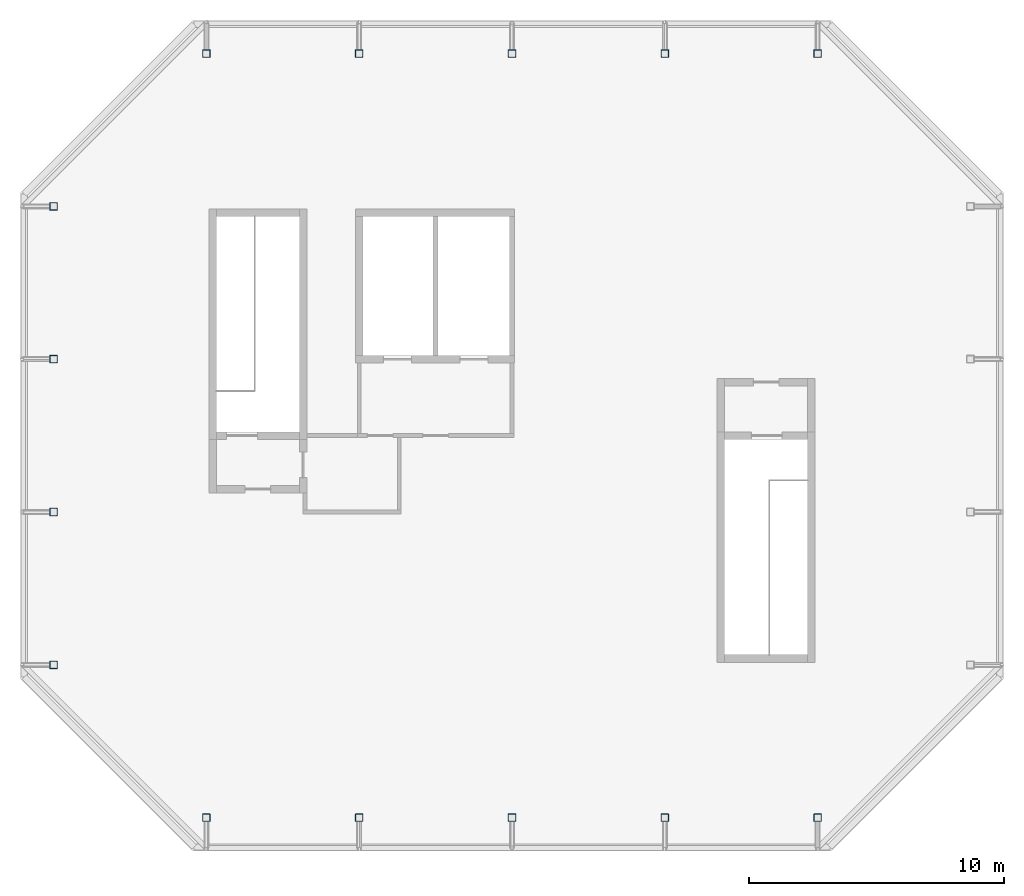
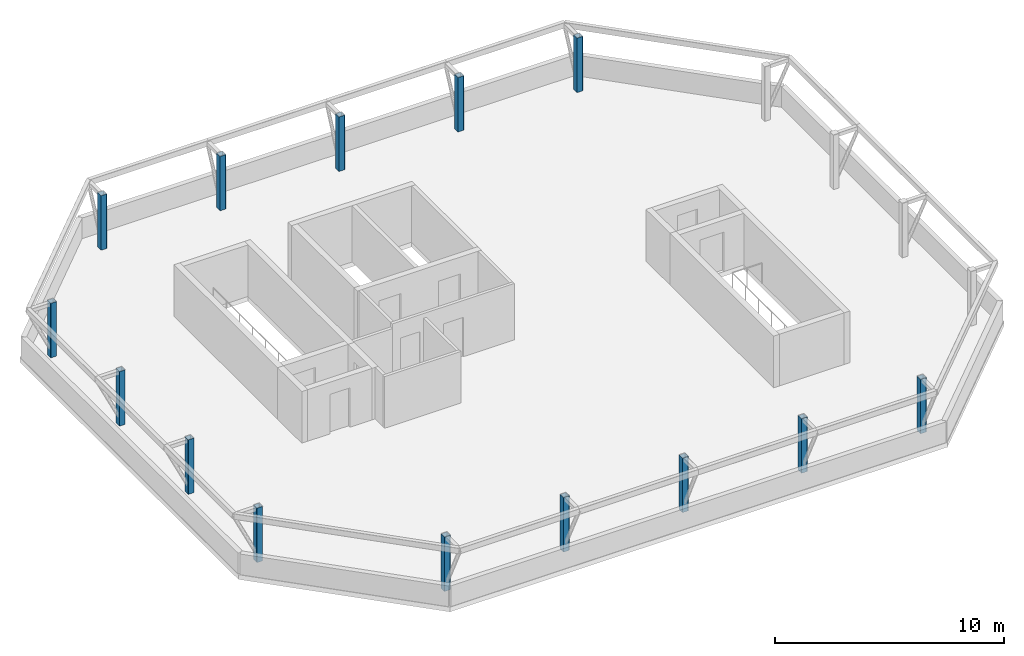
# One storey, part 1 of 6: 14 columns.
"""IFC4 building model written with IfcOpenShell, lengths in metres."""

from ifc_helpers import new_model, si_unit, direction, frame, origin, origin_2d, place, context, subcontext, project, spatial, hollow_rectangle, extrude, material, material_profile, profile_set, type_object, element, save


model = new_model("IFC4")

# Units and contexts
model_context = context("Model", 3, precision=1e-05, world=origin(), true_north=direction((0.0, 1.0)))
body_context = subcontext(model_context, "Body", "Model", "MODEL_VIEW")
ifc_project = project(units=[si_unit("LENGTHUNIT", "METRE"), si_unit("AREAUNIT", "SQUARE_METRE"), si_unit("VOLUMEUNIT", "CUBIC_METRE"), si_unit("PLANEANGLEUNIT", "RADIAN"), si_unit("MASSUNIT", "GRAM", prefix="KILO")], contexts=[model_context])

# Site, building, storey
site_placement = place(None, origin())
site = spatial("IfcSite", under=ifc_project, at=site_placement, CompositionType="ELEMENT")
building_placement = place(site_placement, origin())
building = spatial("IfcBuilding", under=site, at=building_placement, Name="Highveld Stack Headquarters", CompositionType="ELEMENT")
storey_placement = place(building_placement, frame((0.0, 0.0, 305.699951171875)))
storey = spatial("IfcBuildingStorey", under=building, at=storey_placement, Name="RF", CompositionType="ELEMENT", Elevation=305.699951171875)

# Columns
ifc_material = material(Name="Steel S355JR", Category="steel")
ifc_material_profile = material_profile(ifc_material, hollow_rectangle(XDim=0.300048828125, YDim=0.300048828125, WallThickness=0.012451171875, InnerFilletRadius=0.012451171875, OuterFilletRadius=0.018798828125, at=origin_2d()), Name="300x300x12.5 SHS")
ifc_profile_set = profile_set([ifc_material_profile], Name="Steel S355JR")
column_type = type_object("IfcColumnType", Name="LANTERN POST 300x300x12.5 SHS", PredefinedType="COLUMN", material=ifc_profile_set)
for number, where, z_axis, x_axis, name in (
    (1, (-12.0, -6.0, 0.0), (0.0, 0.0, 1.0), (1.0, 0.0, 0.0), "Lantern post 4/D"),
    (2, (-12.0, 0.0, 0.0), (0.0, 0.0, 1.0), (1.0, 0.0, 0.0), "Lantern post 4/E"),
    (3, (-12.0, 6.0, 0.0), (0.0, 0.0, 1.0), (1.0, 0.0, 0.0), "Lantern post 4/F"),
    (4, (-12.0, 12.0, 0.0), (0.0, 0.0, 1.0), (1.0, 0.0, 0.0), "Lantern post 4/G"),
    (5, (-6.0, -12.0, 0.0), (0.0, 0.0, 1.0), (1.0, 0.0, 0.0), "Lantern post 5/C"),
    (6, (-6.0, 18.0, 0.0), (0.0, 0.0, 1.0), (1.0, 0.0, 0.0), "Lantern post 5/H"),
    (7, (0.0, -12.0, 0.0), (0.0, 0.0, 1.0), (1.0, 0.0, 0.0), "Lantern post 6/C"),
    (8, (0.0, 18.0, 0.0), (0.0, 0.0, 1.0), (1.0, 0.0, 0.0), "Lantern post 6/H"),
    (9, (6.0, -12.0, 0.0), (0.0, 0.0, 1.0), (1.0, 0.0, 0.0), "Lantern post 7/C"),
    (10, (6.0, 18.0, 0.0), (0.0, 0.0, 1.0), (1.0, 0.0, 0.0), "Lantern post 7/H"),
    (11, (12.0, -12.0, 0.0), (0.0, 0.0, 1.0), (1.0, 0.0, 0.0), "Lantern post 8/C"),
    (12, (12.0, 18.0, 0.0), (0.0, 0.0, 1.0), (1.0, 0.0, 0.0), "Lantern post 8/H"),
    (13, (18.0, -12.0, 0.0), (0.0, 0.0, 1.0), (1.0, 0.0, 0.0), "Lantern post 9/C"),
    (14, (18.0, 18.0, 0.0), (0.0, 0.0, 1.0), (1.0, 0.0, 0.0), "Lantern post 9/H"),
):
    element("IfcColumn", number, at=place(storey_placement, frame(where, z_axis=z_axis, x_axis=x_axis)), inside=storey, type_object=column_type, Name=name, PredefinedType="COLUMN", context=body_context, shape_type="SweptSolid", body=[
        extrude(hollow_rectangle(XDim=0.300048828125, YDim=0.300048828125, WallThickness=0.012451171875, InnerFilletRadius=0.012451171875, OuterFilletRadius=0.018798828125, at=origin_2d()), origin(), (0.0, 0.0, 1.0), 2.900146484375),
    ])

save(model, "model.ifc")
